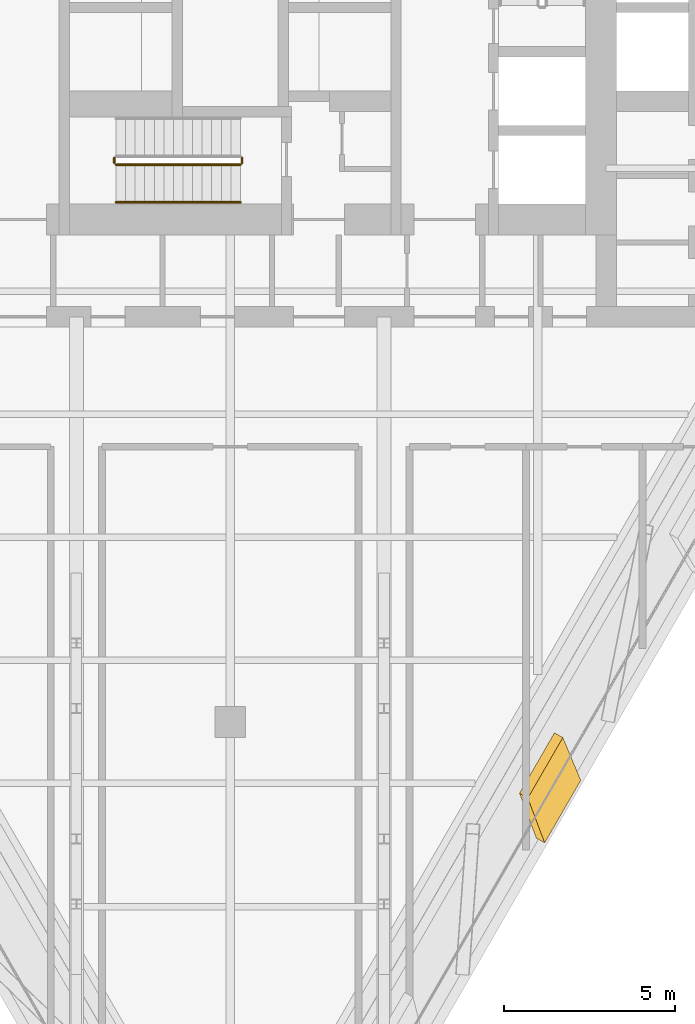
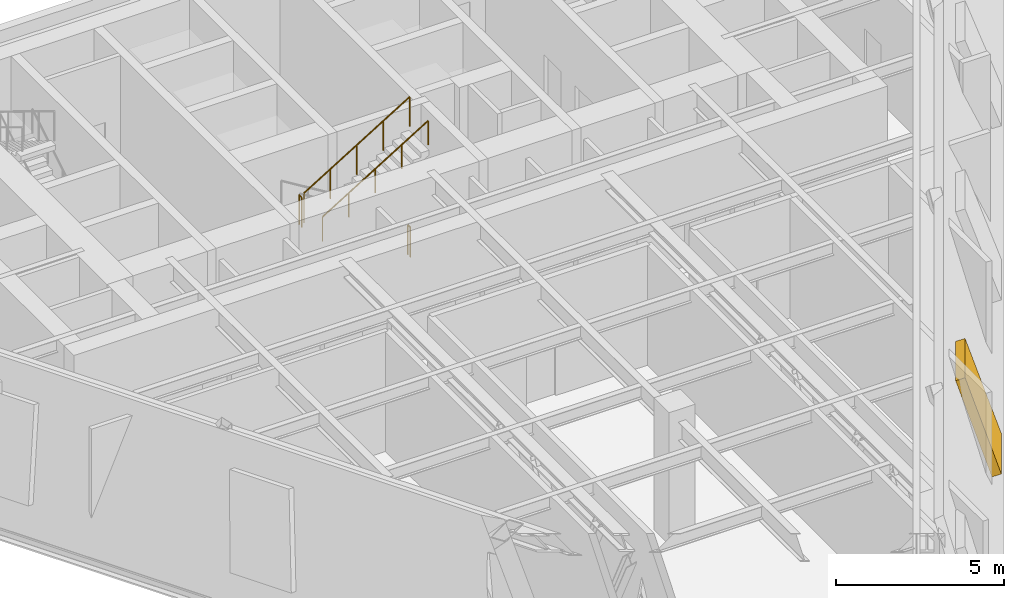
# One storey, part 8 of 12: 4 railings, 1 shading device.
"""IFC4 building model written with IfcOpenShell, lengths in metres."""

import ifcopenshell
import ifcopenshell.guid

model = None  # the IFC model being written
_history = None  # IfcOwnerHistory: only IFC2X3 demands one
_inside = {}  # id of a spatial element -> (the spatial element, [elements in it])
_under = {}  # id of a project, library or spatial element -> (it, [spatial elements below it])
_declared = {}  # id of a project -> (the project, [libraries it declares])
_typed = {}  # id of a type object -> (the type object, [elements of that type])
_made_of = {}  # id of a material, layer set ... -> (it, [elements and type objects made of it])


def new_model(schema):
    """Start an empty IFC model of exactly this schema.

    Asked for "IFC4X3", IfcOpenShell would pick the latest addendum, in which some entities
    have other attributes; the version numbers below select the first issue.
    IFC2X3 requires an IfcOwnerHistory on every rooted entity: one is made here for all.
    """
    global model, _history
    if schema == "IFC4X3":
        model = ifcopenshell.file(schema_version=(4, 3, 0, 0))
    else:
        model = ifcopenshell.file(schema=schema)
    _inside.clear()
    _under.clear()
    _declared.clear()
    _typed.clear()
    _made_of.clear()
    _history = None
    if model.schema == "IFC2X3":
        org = make("IfcOrganization", Name="unknown")
        user = make(
            "IfcPersonAndOrganization",
            ThePerson=make("IfcPerson", FamilyName="unknown"),
            TheOrganization=org,
        )
        app = make(
            "IfcApplication",
            ApplicationDeveloper=org,
            Version="unknown",
            ApplicationFullName="unknown",
            ApplicationIdentifier="unknown",
        )
        _history = make(
            "IfcOwnerHistory",
            OwningUser=user,
            OwningApplication=app,
            ChangeAction="ADDED",
            CreationDate=0,
        )
    return model


def make(cls, **values):
    """One entity of the class cls with the attributes given. An attribute that is None is left unset."""
    return model.create_entity(
        cls, **{name: value for name, value in values.items() if value is not None}
    )


def rooted(cls, **values):
    """An entity with a GlobalId (a new one), such as an element, a storey or a relation."""
    return make(cls, GlobalId=ifcopenshell.guid.new(), OwnerHistory=_history, **values)


def si_unit(unit_type, name, prefix=None):
    """IfcSIUnit, for example si_unit("LENGTHUNIT", "METRE", prefix="MILLI")."""
    return make("IfcSIUnit", UnitType=unit_type, Prefix=prefix, Name=name)


def assignment(units):
    """IfcUnitAssignment: the units of a project."""
    return None if units is None else make("IfcUnitAssignment", Units=units)


def point(xyz):
    """IfcCartesianPoint."""
    return None if xyz is None else make("IfcCartesianPoint", Coordinates=xyz)


def direction(xyz):
    """IfcDirection."""
    return None if xyz is None else make("IfcDirection", DirectionRatios=xyz)


def frame(location, z_axis=None, x_axis=None):
    """IfcAxis2Placement3D, a coordinate frame: its origin and axes. An axis left out is left unset."""
    return make(
        "IfcAxis2Placement3D",
        Location=point(location),
        Axis=direction(z_axis),
        RefDirection=direction(x_axis),
    )


def frame_2d(location, x_axis=None):
    """IfcAxis2Placement2D, a coordinate frame in the plane: its origin and x axis."""
    return make(
        "IfcAxis2Placement2D", Location=point(location), RefDirection=direction(x_axis)
    )


def origin():
    """The frame at (0, 0, 0) with its axes left unset."""
    return frame((0.0, 0.0, 0.0))


def origin_2d():
    """The frame at (0, 0) in the plane with its x axis left unset."""
    return frame_2d((0.0, 0.0))


def place(relative_to, where):
    """IfcLocalPlacement: puts the frame where relative to a parent placement (None: the world)."""
    return make(
        "IfcLocalPlacement", PlacementRelTo=relative_to, RelativePlacement=where
    )


def context(
    kind, dimensions, precision=None, world=None, true_north=None, identifier=None
):
    """IfcGeometricRepresentationContext, for example the 3D "Model" context."""
    return make(
        "IfcGeometricRepresentationContext",
        ContextIdentifier=identifier,
        ContextType=kind,
        CoordinateSpaceDimension=dimensions,
        Precision=precision,
        WorldCoordinateSystem=world,
        TrueNorth=true_north,
    )


def subcontext(parent, identifier, kind, view, scale=None):
    """IfcGeometricRepresentationSubContext, for example "Body" below "Model"."""
    return make(
        "IfcGeometricRepresentationSubContext",
        ContextIdentifier=identifier,
        ContextType=kind,
        ParentContext=parent,
        TargetScale=scale,
        TargetView=view,
    )


def project(units=None, contexts=None):
    """IfcProject with its units and contexts."""
    return rooted(
        "IfcProject",
        Name="project",
        RepresentationContexts=contexts,
        UnitsInContext=assignment(units),
    )


def spatial(cls, under=None, at=None, **own):
    """A site, building, storey or space (cls), placed at a placement, below another one or the project."""
    s = rooted(cls, ObjectPlacement=at, **own)
    if under is not None:
        _under.setdefault(under.id(), (under, []))[1].append(s)
    return s


def polyline(points):
    """IfcPolyline through the points."""
    return make("IfcPolyline", Points=[point(p) for p in points])


def profile(cls, at=None, kind="AREA", **sizes):
    """A parametric profile (cls). Its sizes go by their IFC names, for example OverallWidth=200.0."""
    return make(cls, ProfileType=kind, Position=at, **sizes)


def circle(**sizes):
    """IfcCircleProfileDef."""
    return profile("IfcCircleProfileDef", **sizes)


def outline(outer, holes=None, kind="AREA"):
    """IfcArbitraryClosedProfileDef: a profile drawn as a closed curve; with holes, ...WithVoids."""
    if holes is None:
        return make("IfcArbitraryClosedProfileDef", ProfileType=kind, OuterCurve=outer)
    return make(
        "IfcArbitraryProfileDefWithVoids",
        ProfileType=kind,
        OuterCurve=outer,
        InnerCurves=holes,
    )


def extrude(swept, where, along, depth):
    """IfcExtrudedAreaSolid: the profile swept, set in the frame where, extruded along a direction by depth."""
    return make(
        "IfcExtrudedAreaSolid",
        SweptArea=swept,
        Position=where,
        ExtrudedDirection=direction(along),
        Depth=depth,
    )


def shape(context_of_items, identifier, shape_type, items):
    """IfcShapeRepresentation: the items that make up one representation, for example the "Body"."""
    return make(
        "IfcShapeRepresentation",
        ContextOfItems=context_of_items,
        RepresentationIdentifier=identifier,
        RepresentationType=shape_type,
        Items=items,
    )


def material(Name=None, Category=None):
    """IfcMaterial."""
    return make("IfcMaterial", Name=Name, Category=Category)


def layer(
    of_material, thickness, ventilated=None, Name=None, Category=None, Priority=None
):
    """IfcMaterialLayer: one layer of a wall or slab, of a material (None: an air gap)."""
    return make(
        "IfcMaterialLayer",
        Material=of_material,
        LayerThickness=thickness,
        IsVentilated=ventilated,
        Name=Name,
        Category=Category,
        Priority=Priority,
    )


def layer_set(layers, Name=None):
    """IfcMaterialLayerSet."""
    return make("IfcMaterialLayerSet", MaterialLayers=layers, LayerSetName=Name)


def made_of(thing, what):
    """Note that an element or type object is made of a material, layer set ...; save() writes the relation."""
    if what is not None:
        _made_of.setdefault(what.id(), (what, []))[1].append(thing)
    return thing


def type_object(cls, material=None, **own):
    """A type object (cls), such as IfcWallType, which elements share."""
    return made_of(rooted(cls, **own), material)


def element(
    cls,
    number,
    at=None,
    inside=None,
    cuts=None,
    type_object=None,
    material=None,
    context=None,
    identifier="Body",
    shape_type=None,
    held_by="IfcProductDefinitionShape",
    body=None,
    shapes=None,
    **own,
):
    """One element of the class cls, such as IfcWall. Its Tag is "e" and its number.

    at: its placement. inside: the storey or other place that contains it. cuts: it is an
    opening in that element (IfcRelVoidsElement). A single representation is given by context,
    identifier, shape_type and body (its items); several are given by shapes. held_by: the class
    of the entity that holds the representations. save() writes the other relations.
    """
    e = rooted(cls, Tag="e%d" % number, ObjectPlacement=at, **own)
    if body is not None:
        shapes = [shape(context, identifier, shape_type, body)]
    if shapes is not None:
        e.Representation = make(held_by, Representations=shapes)
    if inside is not None:
        _inside.setdefault(inside.id(), (inside, []))[1].append(e)
    if cuts is not None:
        rooted(
            "IfcRelVoidsElement", RelatingBuildingElement=cuts, RelatedOpeningElement=e
        )
    if type_object is not None:
        _typed.setdefault(type_object.id(), (type_object, []))[1].append(e)
    return made_of(e, material)


def aggregate(whole, parts):
    """IfcRelAggregates: a whole, such as a stair, and the parts it consists of."""
    return rooted("IfcRelAggregates", RelatingObject=whole, RelatedObjects=parts)


def save(model, path):
    """Write the relations noted so far, then the file.

    IfcRelAggregates (storeys below a building ...), IfcRelContainedInSpatialStructure (elements
    in a storey), IfcRelDefinesByType, IfcRelAssociatesMaterial and IfcRelDeclares: one each for
    every whole, place, type object, material and project.
    """
    for whole, parts in _under.values():
        aggregate(whole, parts)
    for where, things in _inside.values():
        rooted(
            "IfcRelContainedInSpatialStructure",
            RelatedElements=things,
            RelatingStructure=where,
        )
    for kind, things in _typed.values():
        rooted("IfcRelDefinesByType", RelatedObjects=things, RelatingType=kind)
    for what, things in _made_of.values():
        rooted("IfcRelAssociatesMaterial", RelatedObjects=things, RelatingMaterial=what)
    for by, libraries in _declared.values():
        rooted("IfcRelDeclares", RelatingContext=by, RelatedDefinitions=libraries)
    model.write(path)


model = new_model("IFC4")

# Units and contexts
model_context = context("Model", 3, precision=1e-05, world=origin(), true_north=direction((0.0, 1.0)))
body_context = subcontext(model_context, "Body", "Model", "MODEL_VIEW")
ifc_project = project(units=[si_unit("LENGTHUNIT", "METRE"), si_unit("AREAUNIT", "SQUARE_METRE"), si_unit("VOLUMEUNIT", "CUBIC_METRE"), si_unit("PLANEANGLEUNIT", "RADIAN"), si_unit("MASSUNIT", "GRAM", prefix="KILO")], contexts=[model_context])

# Site, building, storey
site_placement = place(None, origin())
site = spatial("IfcSite", under=ifc_project, at=site_placement, CompositionType="ELEMENT")
building_placement = place(site_placement, origin())
building = spatial("IfcBuilding", under=site, at=building_placement, Name="Aloe Facet Convention Tower", CompositionType="ELEMENT")
storey_placement = place(building_placement, frame((0.0, 0.0, 123.800048828125)))
storey = spatial("IfcBuildingStorey", under=building, at=storey_placement, Name="L31", CompositionType="ELEMENT", Elevation=123.800048828125)

# Railings
ifc_material_1 = material(Name="Steel S355 balustrade", Category="steel")
railing_type_1 = type_object("IfcRailingType", Name="CR-RL-GUARD", PredefinedType="GUARDRAIL", material=ifc_material_1)
railing_1_placement = place(storey_placement, frame((76.610107421875, 124.5, 2.39990234375)))
element("IfcRailing", 1, at=railing_1_placement, inside=storey, type_object=railing_type_1, Name="L31 ST3 stair guard 2", PredefinedType="GUARDRAIL", context=body_context, shape_type="SweptSolid", body=[
    extrude(circle(Radius=0.02392578125, at=origin_2d()), frame((0.0, 0.0, 1.076171875), z_axis=(0.0, -1.0, 0.0), x_axis=(1.0, 0.0, 0.0)), (0.0, 0.0, 1.0), 0.14990234375),
    extrude(circle(Radius=0.02099609375, at=origin_2d()), origin(), (0.0, 0.0, 1.0), 1.052001953125),
    extrude(circle(Radius=0.02099609375, at=origin_2d()), frame((0.0, -0.14990234375, 0.0)), (0.0, 0.0, 1.0), 1.052001953125),
])
railing_2_placement = place(storey_placement, frame((76.659912109375, 124.300048828125, 2.5712890625)))
element("IfcRailing", 2, at=railing_2_placement, inside=storey, type_object=railing_type_1, Name="L31 ST3 stair guard 3", PredefinedType="GUARDRAIL", context=body_context, shape_type="SweptSolid", body=[
    extrude(circle(Radius=0.02392578125, at=origin_2d()), frame((0.0, 0.0, 1.076171875), z_axis=(0.852840387347, 0.0, 0.522171689878), x_axis=(0.0, 1.0, 0.0)), (0.0, 0.0, 1.0), 4.268310546875),
    extrude(circle(Radius=0.02099609375, at=origin_2d()), origin(), (0.0, 0.0, 1.0), 1.052001953125),
    extrude(circle(Radius=0.02099609375, at=origin_2d()), frame((0.91015625, 0.0, 0.55712890625)), (0.0, 0.0, 1.0), 1.052001953125),
    extrude(circle(Radius=0.02099609375, at=origin_2d()), frame((1.820068359375, 0.0, 1.1142578125)), (0.0, 0.0, 1.0), 1.052001953125),
    extrude(circle(Radius=0.02099609375, at=origin_2d()), frame((2.72998046875, 0.0, 1.671630859375)), (0.0, 0.0, 1.0), 1.052001953125),
    extrude(circle(Radius=0.02099609375, at=origin_2d()), frame((3.64013671875, 0.0, 2.228759765625)), (0.0, 0.0, 1.0), 1.052001953125),
])
railing_3_placement = place(storey_placement, frame((80.35009765625, 124.5, 0.0)))
element("IfcRailing", 3, at=railing_3_placement, inside=storey, type_object=railing_type_1, Name="L31 ST3 stair guard 4", PredefinedType="GUARDRAIL", context=body_context, shape_type="SweptSolid", body=[
    extrude(circle(Radius=0.02392578125, at=origin_2d()), frame((0.0, 0.0, 1.076171875), z_axis=(0.0, -1.0, 0.0), x_axis=(1.0, 0.0, 0.0)), (0.0, 0.0, 1.0), 0.14990234375),
    extrude(circle(Radius=0.02099609375, at=origin_2d()), origin(), (0.0, 0.0, 1.0), 1.052001953125),
    extrude(circle(Radius=0.02099609375, at=origin_2d()), frame((0.0, -0.14990234375, 0.0)), (0.0, 0.0, 1.0), 1.052001953125),
])
ifc_material_2 = material(Name="Steel S355 handrail", Category="steel")
railing_type_2 = type_object("IfcRailingType", Name="CR-RL-HAND", PredefinedType="HANDRAIL", material=ifc_material_2)
railing_4_placement = place(storey_placement, frame((76.659912109375, 123.199951171875, 2.5712890625)))
element("IfcRailing", 4, at=railing_4_placement, inside=storey, type_object=railing_type_2, Name="L31 ST3 stair handrail 2", PredefinedType="HANDRAIL", context=body_context, shape_type="SweptSolid", body=[
    extrude(circle(Radius=0.02392578125, at=origin_2d()), frame((0.0, 0.0, 0.8759765625), z_axis=(0.852840387347, 0.0, 0.522171689878), x_axis=(0.0, 1.0, 0.0)), (0.0, 0.0, 1.0), 4.268310546875),
    extrude(circle(Radius=0.02099609375, at=origin_2d()), origin(), (0.0, 0.0, 1.0), 0.851806640625),
    extrude(circle(Radius=0.02099609375, at=origin_2d()), frame((0.91015625, 0.0, 0.55712890625)), (0.0, 0.0, 1.0), 0.851806640625),
    extrude(circle(Radius=0.02099609375, at=origin_2d()), frame((1.820068359375, 0.0, 1.1142578125)), (0.0, 0.0, 1.0), 0.851806640625),
    extrude(circle(Radius=0.02099609375, at=origin_2d()), frame((2.72998046875, 0.0, 1.671630859375)), (0.0, 0.0, 1.0), 0.851806640625),
    extrude(circle(Radius=0.02099609375, at=origin_2d()), frame((3.64013671875, 0.0, 2.228759765625)), (0.0, 0.0, 1.0), 0.851806640625),
])

# Shading device
ifc_material_3 = material(Name="Aluminium, anodised", Category="aluminium")
ifc_layer = layer(ifc_material_3, 0.300048828125)
ifc_layer_set = layer_set([ifc_layer], Name="EV-LOUVRE-BELT")
shading_device_type = type_object("IfcShadingDeviceType", Name="EV-LOUVRE-BELT", PredefinedType="JALOUSIE", material=ifc_layer_set)
shading_device_placement = place(storey_placement, frame((89.19970703125, 104.462890625, 1.065185546875), z_axis=(0.810890128632, -0.468142754674, 0.351140371552), x_axis=(0.499975880616, 0.866039328573, 1.290307e-05)))
element("IfcShadingDevice", 5, at=shading_device_placement, inside=storey, type_object=shading_device_type, Name="LOUVRE L31-E05", PredefinedType="JALOUSIE", context=body_context, shape_type="SweptSolid", body=[
    extrude(outline(polyline([(0.0, 0.0), (2.110579152600334, 5.551115123125783e-17), (2.932996075960815, 3.075957373454589), (0.8871595654047146, 3.0760146512651714), (0.0, 0.0)])), origin(), (0.0, 0.0, -1.0), 0.300048828125),
])

save(model, "model.ifc")
